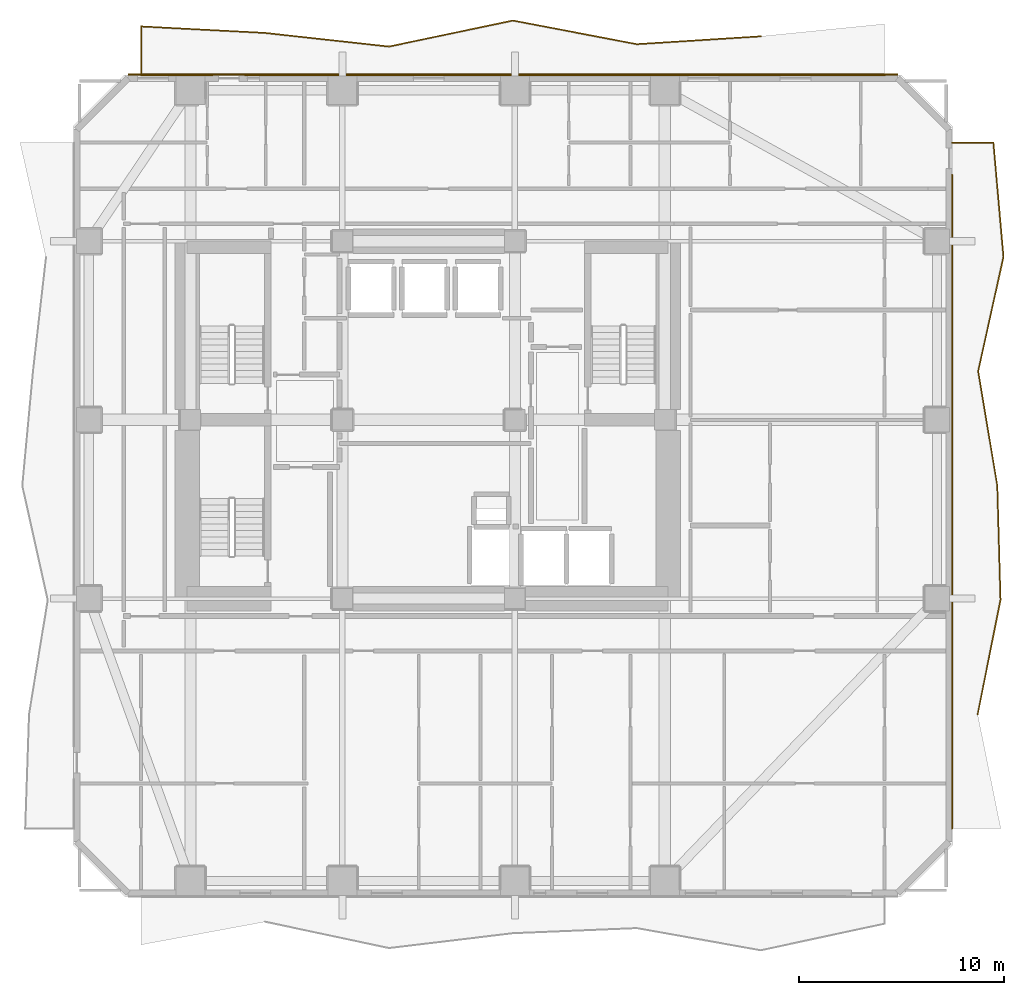
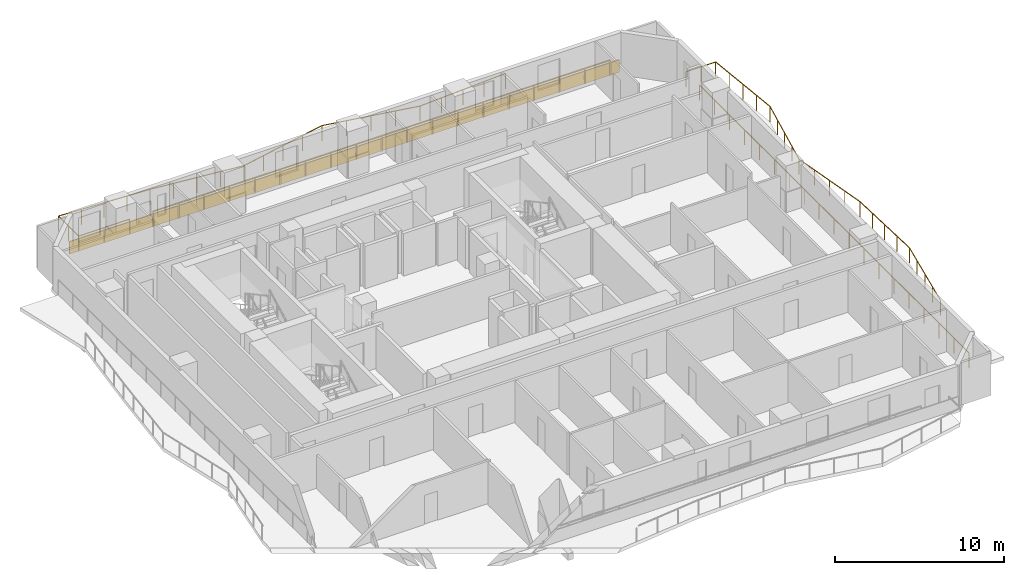
# One storey, part 10 of 10: 4 railings, 1 covering.
"""IFC4 building model written with IfcOpenShell, lengths in metres."""

from ifc_helpers import new_model, si_unit, direction, frame, frame_2d, origin, origin_2d, place, context, subcontext, project, spatial, rectangle, extrude, material, layer, layer_set, type_object, element, save


model = new_model("IFC4")

# Units and contexts
model_context = context("Model", 3, precision=1e-05, world=origin(), true_north=direction((0.0, 1.0)))
body_context = subcontext(model_context, "Body", "Model", "MODEL_VIEW")
ifc_project = project(units=[si_unit("LENGTHUNIT", "METRE"), si_unit("AREAUNIT", "SQUARE_METRE"), si_unit("VOLUMEUNIT", "CUBIC_METRE"), si_unit("PLANEANGLEUNIT", "RADIAN"), si_unit("MASSUNIT", "GRAM", prefix="KILO")], contexts=[model_context])

# Site, building, storey
site_placement = place(None, origin())
site = spatial("IfcSite", under=ifc_project, at=site_placement, CompositionType="ELEMENT")
building_placement = place(site_placement, origin())
building = spatial("IfcBuilding", under=site, at=building_placement, Name="Solanera Arch Residences", CompositionType="ELEMENT")
storey_placement = place(building_placement, frame((0.0, 0.0, 45.239990234375)))
storey = spatial("IfcBuildingStorey", under=building, at=storey_placement, Name="L12", CompositionType="ELEMENT", Elevation=45.239990234375)

# Railings
ifc_material_1 = material(Name="Steel S355 (ASTM A992 / A572 Grade 50)", Category="steel")
railing_type = type_object("IfcRailingType", Name="Balustrade Railing BL-1100", PredefinedType="BALUSTRADE", material=ifc_material_1)
railing_1_placement = place(storey_placement, frame((41.1669921875, 49.375, 0.0)))
element("IfcRailing", 1, at=railing_1_placement, inside=storey, type_object=railing_type, Name="L12 N Balcony Balustrade 1", PredefinedType="BALUSTRADE", context=body_context, shape_type="SweptSolid", body=[
    extrude(rectangle(XDim=0.048095703125, YDim=0.048095703125, at=origin_2d()), frame((0.0, 0.0, 1.09619140625), z_axis=(-0.998001179371, -0.063195300251, 0.0), x_axis=(0.063195300251, -0.998001179371, 0.0)), (0.0, 0.0, 1.0), 6.0458984375),
    extrude(rectangle(XDim=0.048095703125, YDim=0.048095703125, at=origin_2d()), frame((-6.033935546875, -0.382080078125, 1.09619140625), z_axis=(-0.982249737217, 0.187577860464, 0.0), x_axis=(-0.187577860464, -0.982249737217, 0.0)), (0.0, 0.0, 1.0), 6.14208984375),
    extrude(rectangle(XDim=0.048095703125, YDim=0.048095703125, at=origin_2d()), frame((-12.06689453125, 0.77001953125, 1.09619140625), z_axis=(-0.978617798927, -0.205687149872, 0.0), x_axis=(0.205687149872, -0.978617798927, 0.0)), (0.0, 0.0, 1.0), 6.1650390625),
    extrude(rectangle(XDim=0.048095703125, YDim=0.048095703125, at=origin_2d()), frame((-18.10009765625, -0.498046875, 1.09619140625), z_axis=(-0.993980948034, 0.109553069085, 0.0), x_axis=(-0.109553069085, -0.993980948034, 0.0)), (0.0, 0.0, 1.0), 6.070556640625),
    extrude(rectangle(XDim=0.048095703125, YDim=0.048095703125, at=origin_2d()), frame((-24.134033203125, 0.1669921875, 1.09619140625), z_axis=(-0.998640177462, 0.05213248468, 0.0), x_axis=(-0.05213248468, -0.998640177462, 0.0)), (0.0, 0.0, 1.0), 6.041259765625),
    extrude(rectangle(XDim=0.048095703125, YDim=0.048095703125, at=origin_2d()), frame((-30.1669921875, 0.48193359375, 1.09619140625), z_axis=(0.0, -1.0, 0.0), x_axis=(1.0, 0.0, 0.0)), (0.0, 0.0, 1.0), 2.376953125),
    extrude(rectangle(XDim=0.048095703125, YDim=0.048095703125, at=origin_2d()), frame((-30.1669921875, -1.89501953125, 1.09619140625), z_axis=(1.0, 0.0, 0.0), x_axis=(0.0, 1.0, 0.0)), (0.0, 0.0, 1.0), 3.468017578125),
    extrude(rectangle(XDim=0.0419921875, YDim=0.0419921875, at=origin_2d()), origin(), (0.0, 0.0, 1.0), 1.072021484375),
    extrude(rectangle(XDim=0.0419921875, YDim=0.0419921875, at=origin_2d()), frame((-1.508544921875, -0.095458984375, 0.0)), (0.0, 0.0, 1.0), 1.072021484375),
    extrude(rectangle(XDim=0.0419921875, YDim=0.0419921875, at=origin_2d()), frame((-3.01708984375, -0.19091796875, 0.0)), (0.0, 0.0, 1.0), 1.072021484375),
    extrude(rectangle(XDim=0.0419921875, YDim=0.0419921875, at=origin_2d()), frame((-4.525390625, -0.28662109375, 0.0)), (0.0, 0.0, 1.0), 1.072021484375),
    extrude(rectangle(XDim=0.0419921875, YDim=0.0419921875, at=origin_2d()), frame((-6.033935546875, -0.382080078125, 0.0)), (0.0, 0.0, 1.0), 1.072021484375),
    extrude(rectangle(XDim=0.0419921875, YDim=0.0419921875, at=origin_2d()), frame((-7.542236328125, -0.093994140625, 0.0)), (0.0, 0.0, 1.0), 1.072021484375),
    extrude(rectangle(XDim=0.0419921875, YDim=0.0419921875, at=origin_2d()), frame((-9.05029296875, 0.19384765625, 0.0)), (0.0, 0.0, 1.0), 1.072021484375),
    extrude(rectangle(XDim=0.0419921875, YDim=0.0419921875, at=origin_2d()), frame((-10.55859375, 0.48193359375, 0.0)), (0.0, 0.0, 1.0), 1.072021484375),
    extrude(rectangle(XDim=0.0419921875, YDim=0.0419921875, at=origin_2d()), frame((-12.06689453125, 0.77001953125, 0.0)), (0.0, 0.0, 1.0), 1.072021484375),
    extrude(rectangle(XDim=0.0419921875, YDim=0.0419921875, at=origin_2d()), frame((-13.5751953125, 0.453125, 0.0)), (0.0, 0.0, 1.0), 1.072021484375),
    extrude(rectangle(XDim=0.0419921875, YDim=0.0419921875, at=origin_2d()), frame((-15.08349609375, 0.135986328125, 0.0)), (0.0, 0.0, 1.0), 1.072021484375),
    extrude(rectangle(XDim=0.0419921875, YDim=0.0419921875, at=origin_2d()), frame((-16.591796875, -0.18115234375, 0.0)), (0.0, 0.0, 1.0), 1.072021484375),
    extrude(rectangle(XDim=0.0419921875, YDim=0.0419921875, at=origin_2d()), frame((-18.10009765625, -0.498046875, 0.0)), (0.0, 0.0, 1.0), 1.072021484375),
    extrude(rectangle(XDim=0.0419921875, YDim=0.0419921875, at=origin_2d()), frame((-19.608642578125, -0.331787109375, 0.0)), (0.0, 0.0, 1.0), 1.072021484375),
    extrude(rectangle(XDim=0.0419921875, YDim=0.0419921875, at=origin_2d()), frame((-21.1171875, -0.16552734375, 0.0)), (0.0, 0.0, 1.0), 1.072021484375),
    extrude(rectangle(XDim=0.0419921875, YDim=0.0419921875, at=origin_2d()), frame((-22.62548828125, 0.000732421875, 0.0)), (0.0, 0.0, 1.0), 1.072021484375),
    extrude(rectangle(XDim=0.0419921875, YDim=0.0419921875, at=origin_2d()), frame((-24.134033203125, 0.1669921875, 0.0)), (0.0, 0.0, 1.0), 1.072021484375),
    extrude(rectangle(XDim=0.0419921875, YDim=0.0419921875, at=origin_2d()), frame((-25.642333984375, 0.24560546875, 0.0)), (0.0, 0.0, 1.0), 1.072021484375),
    extrude(rectangle(XDim=0.0419921875, YDim=0.0419921875, at=origin_2d()), frame((-27.150390625, 0.324462890625, 0.0)), (0.0, 0.0, 1.0), 1.072021484375),
    extrude(rectangle(XDim=0.0419921875, YDim=0.0419921875, at=origin_2d()), frame((-28.65869140625, 0.4033203125, 0.0)), (0.0, 0.0, 1.0), 1.072021484375),
    extrude(rectangle(XDim=0.0419921875, YDim=0.0419921875, at=origin_2d()), frame((-30.1669921875, 0.48193359375, 0.0)), (0.0, 0.0, 1.0), 1.072021484375),
    extrude(rectangle(XDim=0.0419921875, YDim=0.0419921875, at=origin_2d()), frame((-30.1669921875, -0.70654296875, 0.0)), (0.0, 0.0, 1.0), 1.072021484375),
    extrude(rectangle(XDim=0.0419921875, YDim=0.0419921875, at=origin_2d()), frame((-30.1669921875, -1.89501953125, 0.0)), (0.0, 0.0, 1.0), 1.072021484375),
    extrude(rectangle(XDim=0.0419921875, YDim=0.0419921875, at=origin_2d()), frame((-28.43310546875, -1.89501953125, 0.0)), (0.0, 0.0, 1.0), 1.072021484375),
    extrude(rectangle(XDim=0.0419921875, YDim=0.0419921875, at=origin_2d()), frame((-26.698974609375, -1.89501953125, 0.0)), (0.0, 0.0, 1.0), 1.072021484375),
])
railing_2_placement = place(storey_placement, frame((16.068115234375, 47.47998046875, 0.0)))
element("IfcRailing", 2, at=railing_2_placement, inside=storey, type_object=railing_type, Name="L12 N Balcony Balustrade 2", PredefinedType="BALUSTRADE", context=body_context, shape_type="SweptSolid", body=[
    extrude(rectangle(XDim=0.048095703125, YDim=0.048095703125, at=origin_2d()), frame((0.0, 0.0, 1.09619140625), z_axis=(1.0, 0.0, 0.0), x_axis=(0.0, 1.0, 0.0)), (0.0, 0.0, 1.0), 31.1318359375),
    extrude(rectangle(XDim=0.0419921875, YDim=0.0419921875, at=origin_2d()), origin(), (0.0, 0.0, 1.0), 1.072021484375),
    extrude(rectangle(XDim=0.0419921875, YDim=0.0419921875, at=origin_2d()), frame((1.7294921875, 0.0, 0.0)), (0.0, 0.0, 1.0), 1.072021484375),
    extrude(rectangle(XDim=0.0419921875, YDim=0.0419921875, at=origin_2d()), frame((3.458984375, 0.0, 0.0)), (0.0, 0.0, 1.0), 1.072021484375),
    extrude(rectangle(XDim=0.0419921875, YDim=0.0419921875, at=origin_2d()), frame((5.188720703125, 0.0, 0.0)), (0.0, 0.0, 1.0), 1.072021484375),
    extrude(rectangle(XDim=0.0419921875, YDim=0.0419921875, at=origin_2d()), frame((6.918212890625, 0.0, 0.0)), (0.0, 0.0, 1.0), 1.072021484375),
    extrude(rectangle(XDim=0.0419921875, YDim=0.0419921875, at=origin_2d()), frame((8.647705078125, 0.0, 0.0)), (0.0, 0.0, 1.0), 1.072021484375),
    extrude(rectangle(XDim=0.0419921875, YDim=0.0419921875, at=origin_2d()), frame((10.377197265625, 0.0, 0.0)), (0.0, 0.0, 1.0), 1.072021484375),
    extrude(rectangle(XDim=0.0419921875, YDim=0.0419921875, at=origin_2d()), frame((12.10693359375, 0.0, 0.0)), (0.0, 0.0, 1.0), 1.072021484375),
    extrude(rectangle(XDim=0.0419921875, YDim=0.0419921875, at=origin_2d()), frame((13.83642578125, 0.0, 0.0)), (0.0, 0.0, 1.0), 1.072021484375),
    extrude(rectangle(XDim=0.0419921875, YDim=0.0419921875, at=origin_2d()), frame((15.56591796875, 0.0, 0.0)), (0.0, 0.0, 1.0), 1.072021484375),
    extrude(rectangle(XDim=0.0419921875, YDim=0.0419921875, at=origin_2d()), frame((17.29541015625, 0.0, 0.0)), (0.0, 0.0, 1.0), 1.072021484375),
    extrude(rectangle(XDim=0.0419921875, YDim=0.0419921875, at=origin_2d()), frame((19.02490234375, 0.0, 0.0)), (0.0, 0.0, 1.0), 1.072021484375),
    extrude(rectangle(XDim=0.0419921875, YDim=0.0419921875, at=origin_2d()), frame((20.754638671875, 0.0, 0.0)), (0.0, 0.0, 1.0), 1.072021484375),
    extrude(rectangle(XDim=0.0419921875, YDim=0.0419921875, at=origin_2d()), frame((22.484130859375, 0.0, 0.0)), (0.0, 0.0, 1.0), 1.072021484375),
    extrude(rectangle(XDim=0.0419921875, YDim=0.0419921875, at=origin_2d()), frame((24.213623046875, 0.0, 0.0)), (0.0, 0.0, 1.0), 1.072021484375),
    extrude(rectangle(XDim=0.0419921875, YDim=0.0419921875, at=origin_2d()), frame((25.943115234375, 0.0, 0.0)), (0.0, 0.0, 1.0), 1.072021484375),
    extrude(rectangle(XDim=0.0419921875, YDim=0.0419921875, at=origin_2d()), frame((27.6728515625, 0.0, 0.0)), (0.0, 0.0, 1.0), 1.072021484375),
    extrude(rectangle(XDim=0.0419921875, YDim=0.0419921875, at=origin_2d()), frame((29.40234375, 0.0, 0.0)), (0.0, 0.0, 1.0), 1.072021484375),
    extrude(rectangle(XDim=0.0419921875, YDim=0.0419921875, at=origin_2d()), frame((31.1318359375, 0.0, 0.0)), (0.0, 0.0, 1.0), 1.072021484375),
])
railing_3_placement = place(storey_placement, frame((51.72998046875, 16.366943359375, 0.0)))
element("IfcRailing", 3, at=railing_3_placement, inside=storey, type_object=railing_type, Name="L12 E Balcony Balustrade 1", PredefinedType="BALUSTRADE", context=body_context, shape_type="SweptSolid", body=[
    extrude(rectangle(XDim=0.048095703125, YDim=0.048095703125, at=origin_2d()), frame((0.0, 0.0, 1.09619140625), z_axis=(0.195917616267, 0.980620358567, 0.0), x_axis=(-0.980620358567, 0.195917616267, 0.0)), (0.0, 0.0, 1.0), 5.67626953125),
    extrude(rectangle(XDim=0.048095703125, YDim=0.048095703125, at=origin_2d()), frame((1.112060546875, 5.566162109375, 1.09619140625), z_axis=(-0.028012859953, 0.999607562835, 0.0), x_axis=(-0.999607562835, -0.028012859953, 0.0)), (0.0, 0.0, 1.0), 5.569091796875),
    extrude(rectangle(XDim=0.048095703125, YDim=0.048095703125, at=origin_2d()), frame((0.9560546875, 11.133056640625, 1.09619140625), z_axis=(-0.165142435778, 0.986269727765, 0.0), x_axis=(-0.986269727765, -0.165142435778, 0.0)), (0.0, 0.0, 1.0), 5.644287109375),
    extrude(rectangle(XDim=0.048095703125, YDim=0.048095703125, at=origin_2d()), frame((0.02392578125, 16.699951171875, 1.09619140625), z_axis=(0.216136867422, 0.976363075163, 0.0), x_axis=(-0.976363075163, 0.216136867422, 0.0)), (0.0, 0.0, 1.0), 5.700927734375),
    extrude(rectangle(XDim=0.048095703125, YDim=0.048095703125, at=origin_2d()), frame((1.256103515625, 22.26611328125, 1.09619140625), z_axis=(-0.087679611199, 0.996148726737, 0.0), x_axis=(-0.996148726737, -0.087679611199, 0.0)), (0.0, 0.0, 1.0), 5.58837890625),
    extrude(rectangle(XDim=0.048095703125, YDim=0.048095703125, at=origin_2d()), frame((0.76611328125, 27.8330078125, 1.09619140625), z_axis=(-1.0, 0.0, 0.0), x_axis=(0.0, -1.0, 0.0)), (0.0, 0.0, 1.0), 2.01611328125),
    extrude(rectangle(XDim=0.0419921875, YDim=0.0419921875, at=origin_2d()), origin(), (0.0, 0.0, 1.0), 1.072021484375),
    extrude(rectangle(XDim=0.0419921875, YDim=0.0419921875, at=origin_2d()), frame((0.278076171875, 1.3916015625, 0.0)), (0.0, 0.0, 1.0), 1.072021484375),
    extrude(rectangle(XDim=0.0419921875, YDim=0.0419921875, at=origin_2d()), frame((0.55615234375, 2.783203125, 0.0)), (0.0, 0.0, 1.0), 1.072021484375),
    extrude(rectangle(XDim=0.0419921875, YDim=0.0419921875, at=origin_2d()), frame((0.833984375, 4.174560546875, 0.0)), (0.0, 0.0, 1.0), 1.072021484375),
    extrude(rectangle(XDim=0.0419921875, YDim=0.0419921875, at=origin_2d()), frame((1.112060546875, 5.566162109375, 0.0)), (0.0, 0.0, 1.0), 1.072021484375),
    extrude(rectangle(XDim=0.0419921875, YDim=0.0419921875, at=origin_2d()), frame((1.072998046875, 6.9580078125, 0.0)), (0.0, 0.0, 1.0), 1.072021484375),
    extrude(rectangle(XDim=0.0419921875, YDim=0.0419921875, at=origin_2d()), frame((1.0341796875, 8.349609375, 0.0)), (0.0, 0.0, 1.0), 1.072021484375),
    extrude(rectangle(XDim=0.0419921875, YDim=0.0419921875, at=origin_2d()), frame((0.9951171875, 9.7412109375, 0.0)), (0.0, 0.0, 1.0), 1.072021484375),
    extrude(rectangle(XDim=0.0419921875, YDim=0.0419921875, at=origin_2d()), frame((0.9560546875, 11.133056640625, 0.0)), (0.0, 0.0, 1.0), 1.072021484375),
    extrude(rectangle(XDim=0.0419921875, YDim=0.0419921875, at=origin_2d()), frame((0.72314453125, 12.52490234375, 0.0)), (0.0, 0.0, 1.0), 1.072021484375),
    extrude(rectangle(XDim=0.0419921875, YDim=0.0419921875, at=origin_2d()), frame((0.489990234375, 13.91650390625, 0.0)), (0.0, 0.0, 1.0), 1.072021484375),
    extrude(rectangle(XDim=0.0419921875, YDim=0.0419921875, at=origin_2d()), frame((0.2568359375, 15.30810546875, 0.0)), (0.0, 0.0, 1.0), 1.072021484375),
    extrude(rectangle(XDim=0.0419921875, YDim=0.0419921875, at=origin_2d()), frame((0.02392578125, 16.699951171875, 0.0)), (0.0, 0.0, 1.0), 1.072021484375),
    extrude(rectangle(XDim=0.0419921875, YDim=0.0419921875, at=origin_2d()), frame((0.33203125, 18.091552734375, 0.0)), (0.0, 0.0, 1.0), 1.072021484375),
    extrude(rectangle(XDim=0.0419921875, YDim=0.0419921875, at=origin_2d()), frame((0.64013671875, 19.48291015625, 0.0)), (0.0, 0.0, 1.0), 1.072021484375),
    extrude(rectangle(XDim=0.0419921875, YDim=0.0419921875, at=origin_2d()), frame((0.947998046875, 20.87451171875, 0.0)), (0.0, 0.0, 1.0), 1.072021484375),
    extrude(rectangle(XDim=0.0419921875, YDim=0.0419921875, at=origin_2d()), frame((1.256103515625, 22.26611328125, 0.0)), (0.0, 0.0, 1.0), 1.072021484375),
    extrude(rectangle(XDim=0.0419921875, YDim=0.0419921875, at=origin_2d()), frame((1.133544921875, 23.65771484375, 0.0)), (0.0, 0.0, 1.0), 1.072021484375),
    extrude(rectangle(XDim=0.0419921875, YDim=0.0419921875, at=origin_2d()), frame((1.01123046875, 25.049560546875, 0.0)), (0.0, 0.0, 1.0), 1.072021484375),
    extrude(rectangle(XDim=0.0419921875, YDim=0.0419921875, at=origin_2d()), frame((0.888671875, 26.44140625, 0.0)), (0.0, 0.0, 1.0), 1.072021484375),
    extrude(rectangle(XDim=0.0419921875, YDim=0.0419921875, at=origin_2d()), frame((0.76611328125, 27.8330078125, 0.0)), (0.0, 0.0, 1.0), 1.072021484375),
    extrude(rectangle(XDim=0.0419921875, YDim=0.0419921875, at=origin_2d()), frame((-0.241943359375, 27.8330078125, 0.0)), (0.0, 0.0, 1.0), 1.072021484375),
    extrude(rectangle(XDim=0.0419921875, YDim=0.0419921875, at=origin_2d()), frame((-1.25, 27.8330078125, 0.0)), (0.0, 0.0, 1.0), 1.072021484375),
])
railing_4_placement = place(storey_placement, frame((50.47998046875, 42.634033203125, 0.0)))
element("IfcRailing", 4, at=railing_4_placement, inside=storey, type_object=railing_type, Name="L12 E Balcony Balustrade 2", PredefinedType="BALUSTRADE", context=body_context, shape_type="SweptSolid", body=[
    extrude(rectangle(XDim=0.048095703125, YDim=0.048095703125, at=origin_2d()), frame((0.0, 0.0, 1.09619140625), z_axis=(0.0, -1.0, 0.0), x_axis=(1.0, 0.0, 0.0)), (0.0, 0.0, 1.0), 31.833984375),
    extrude(rectangle(XDim=0.0419921875, YDim=0.0419921875, at=origin_2d()), origin(), (0.0, 0.0, 1.0), 1.072021484375),
    extrude(rectangle(XDim=0.0419921875, YDim=0.0419921875, at=origin_2d()), frame((0.0, -1.7685546875, 0.0)), (0.0, 0.0, 1.0), 1.072021484375),
    extrude(rectangle(XDim=0.0419921875, YDim=0.0419921875, at=origin_2d()), frame((0.0, -3.537109375, 0.0)), (0.0, 0.0, 1.0), 1.072021484375),
    extrude(rectangle(XDim=0.0419921875, YDim=0.0419921875, at=origin_2d()), frame((0.0, -5.3056640625, 0.0)), (0.0, 0.0, 1.0), 1.072021484375),
    extrude(rectangle(XDim=0.0419921875, YDim=0.0419921875, at=origin_2d()), frame((0.0, -7.07421875, 0.0)), (0.0, 0.0, 1.0), 1.072021484375),
    extrude(rectangle(XDim=0.0419921875, YDim=0.0419921875, at=origin_2d()), frame((0.0, -8.8427734375, 0.0)), (0.0, 0.0, 1.0), 1.072021484375),
    extrude(rectangle(XDim=0.0419921875, YDim=0.0419921875, at=origin_2d()), frame((0.0, -10.611328125, 0.0)), (0.0, 0.0, 1.0), 1.072021484375),
    extrude(rectangle(XDim=0.0419921875, YDim=0.0419921875, at=origin_2d()), frame((0.0, -12.3798828125, 0.0)), (0.0, 0.0, 1.0), 1.072021484375),
    extrude(rectangle(XDim=0.0419921875, YDim=0.0419921875, at=origin_2d()), frame((0.0, -14.1484375, 0.0)), (0.0, 0.0, 1.0), 1.072021484375),
    extrude(rectangle(XDim=0.0419921875, YDim=0.0419921875, at=origin_2d()), frame((0.0, -15.9169921875, 0.0)), (0.0, 0.0, 1.0), 1.072021484375),
    extrude(rectangle(XDim=0.0419921875, YDim=0.0419921875, at=origin_2d()), frame((0.0, -17.685546875, 0.0)), (0.0, 0.0, 1.0), 1.072021484375),
    extrude(rectangle(XDim=0.0419921875, YDim=0.0419921875, at=origin_2d()), frame((0.0, -19.4541015625, 0.0)), (0.0, 0.0, 1.0), 1.072021484375),
    extrude(rectangle(XDim=0.0419921875, YDim=0.0419921875, at=origin_2d()), frame((0.0, -21.22265625, 0.0)), (0.0, 0.0, 1.0), 1.072021484375),
    extrude(rectangle(XDim=0.0419921875, YDim=0.0419921875, at=origin_2d()), frame((0.0, -22.9912109375, 0.0)), (0.0, 0.0, 1.0), 1.072021484375),
    extrude(rectangle(XDim=0.0419921875, YDim=0.0419921875, at=origin_2d()), frame((0.0, -24.759765625, 0.0)), (0.0, 0.0, 1.0), 1.072021484375),
    extrude(rectangle(XDim=0.0419921875, YDim=0.0419921875, at=origin_2d()), frame((0.0, -26.5283203125, 0.0)), (0.0, 0.0, 1.0), 1.072021484375),
    extrude(rectangle(XDim=0.0419921875, YDim=0.0419921875, at=origin_2d()), frame((0.0, -28.296875, 0.0)), (0.0, 0.0, 1.0), 1.072021484375),
    extrude(rectangle(XDim=0.0419921875, YDim=0.0419921875, at=origin_2d()), frame((0.0, -30.0654296875, 0.0)), (0.0, 0.0, 1.0), 1.072021484375),
    extrude(rectangle(XDim=0.0419921875, YDim=0.0419921875, at=origin_2d()), frame((0.0, -31.833984375, 0.0)), (0.0, 0.0, 1.0), 1.072021484375),
])

# Covering
ifc_material_2 = material(Name="Philippine Adobe Travertine Cladding", Category="masonry")
ifc_layer = layer(ifc_material_2, 0.06005859375)
ifc_layer_set = layer_set([ifc_layer], Name="Philippine Adobe Travertine Cladding")
covering_type = type_object("IfcCoveringType", Name="Precast Pier Stone Cladding CLD-60", PredefinedType="CLADDING", material=ifc_layer_set)
covering_placement = place(storey_placement, frame((10.364990234375, 47.514892578125, 0.0), z_axis=(0.0, 0.0, 1.0), x_axis=(1.0, 0.0, 0.0)))
element("IfcCovering", 5, at=covering_placement, inside=storey, type_object=covering_type, Name="L12 N Precast Spandrel Stone Band", PredefinedType="CLADDING", context=body_context, shape_type="SweptSolid", body=[
    extrude(rectangle(XDim=37.469970703125, YDim=0.06005859375, at=frame_2d((18.73486328125, 0.0))), origin(), (0.0, 0.0, 1.0), 0.89990234375),
])

save(model, "model.ifc")
